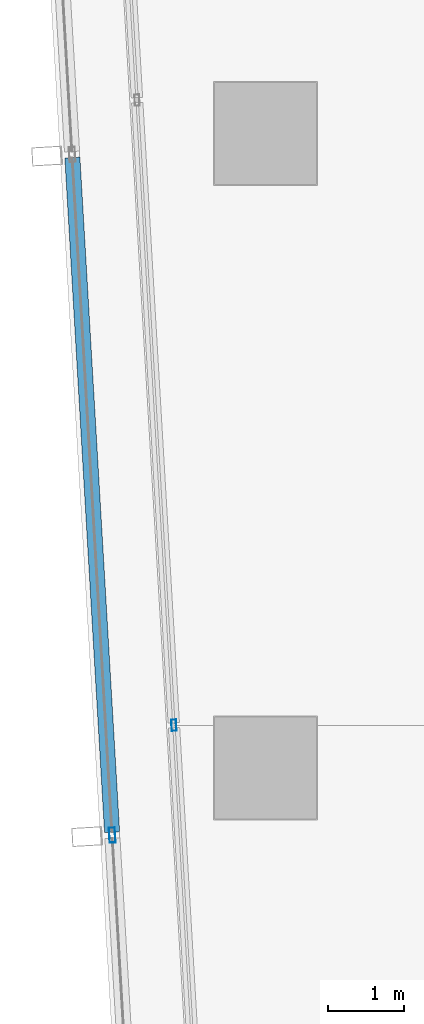
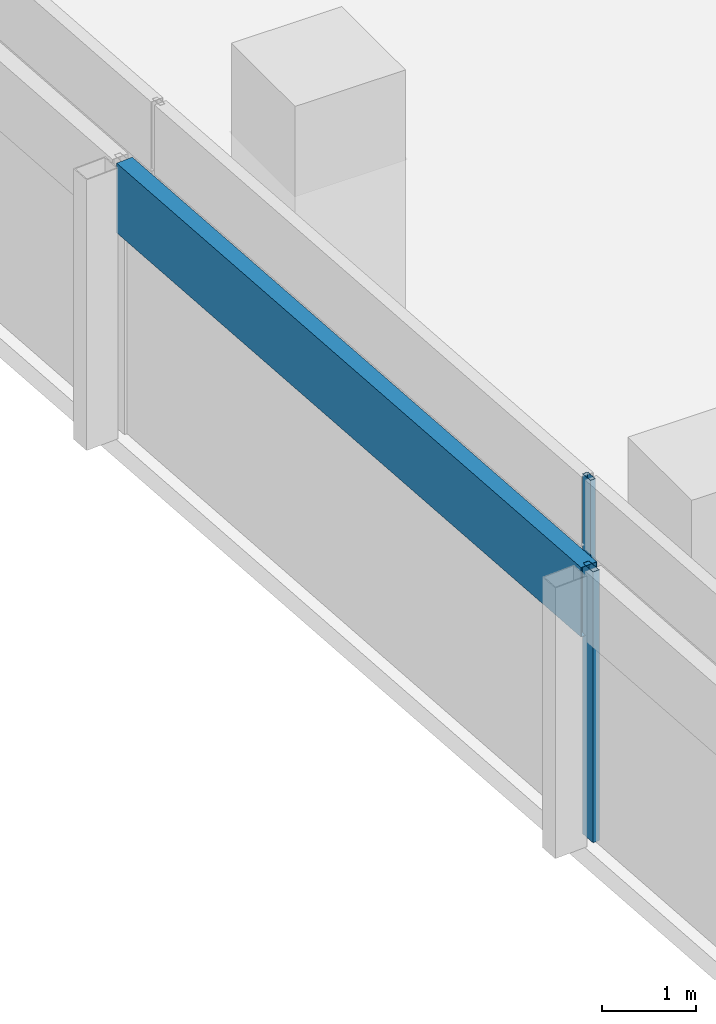
# One storey, part 5 of 40: 3 members, 2 elements without a shape of their own.
"""IFC4 building model written with IfcOpenShell, lengths in metres."""

from ifc_helpers import new_model, si_unit, direction, frame, origin, origin_2d, place, context, subcontext, project, spatial, hollow_rectangle, extrude, material, material_profile, profile_set, type_object, element, aggregate, save


model = new_model("IFC4")

# Units and contexts
model_context = context("Model", 3, precision=1e-05, world=origin(), true_north=direction((0.0, 1.0)))
body_context = subcontext(model_context, "Body", "Model", "MODEL_VIEW")
ifc_project = project(units=[si_unit("LENGTHUNIT", "METRE"), si_unit("AREAUNIT", "SQUARE_METRE"), si_unit("VOLUMEUNIT", "CUBIC_METRE"), si_unit("PLANEANGLEUNIT", "RADIAN"), si_unit("MASSUNIT", "GRAM", prefix="KILO")], contexts=[model_context])

# Site, building, storey
site_placement = place(None, origin())
site = spatial("IfcSite", under=ifc_project, at=site_placement, CompositionType="ELEMENT")
building_placement = place(site_placement, origin())
building = spatial("IfcBuilding", under=site, at=building_placement, Name="Rekha Terrace Tower", CompositionType="ELEMENT")
storey_placement = place(building_placement, frame((0.0, 0.0, 210.199951171875)))
storey = spatial("IfcBuildingStorey", under=building, at=storey_placement, Name="L53", CompositionType="ELEMENT", Elevation=210.199951171875)

# Curtain wall, member
ifc_material_1 = material(Name="Aluminium framing", Category="aluminium")
curtain_wall_type_1 = type_object("IfcCurtainWallType", Name="CW1 double skin inner glazing", PredefinedType="USERDEFINED", material=ifc_material_1)
curtain_wall_1_placement = place(storey_placement, origin())
curtain_wall_1 = element("IfcCurtainWall", 1, at=curtain_wall_1_placement, inside=storey, type_object=curtain_wall_type_1, Name="CW1 double skin inner glazing", ObjectType="DOUBLE SKIN INNER GLAZING", PredefinedType="USERDEFINED")
ifc_material_2 = material(Name="Aluminium mullion section", Category="aluminium")
ifc_material_profile_1 = material_profile(ifc_material_2, hollow_rectangle(XDim=0.06494140625, YDim=0.14990234375, WallThickness=0.00390625, at=origin_2d()), Name="AL RHS 65x150")
ifc_profile_set_1 = profile_set([ifc_material_profile_1], Name="Aluminium mullion section")
member_type_1 = type_object("IfcMemberType", Name="CW1 mullion RHS 65 x 150", PredefinedType="MULLION", material=ifc_profile_set_1)
member_1_placement = place(storey_placement, frame((7.18701171875, 25.76611328125, 0.0), z_axis=(0.0, 0.0, 1.0), x_axis=(0.998271839269, 0.058765082516, 0.0)))
member_1 = element("IfcMember", 2, at=member_1_placement, type_object=member_type_1, Name="CW1 mullion 3", PredefinedType="MULLION", context=body_context, shape_type="SweptSolid", body=[
    extrude(hollow_rectangle(XDim=0.06494140625, YDim=0.14990234375, WallThickness=0.00390625, at=origin_2d()), origin(), (0.0, 0.0, 1.0), 3.5),
])
aggregate(curtain_wall_1, [member_1])

# Curtain wall, members
curtain_wall_type_2 = type_object("IfcCurtainWallType", Name="CW2 double skin outer glazing", PredefinedType="USERDEFINED", material=ifc_material_1)
curtain_wall_2_placement = place(storey_placement, origin())
curtain_wall_2 = element("IfcCurtainWall", 3, at=curtain_wall_2_placement, inside=storey, type_object=curtain_wall_type_2, Name="CW2 double skin outer glazing", ObjectType="DOUBLE SKIN OUTER GLAZING", PredefinedType="USERDEFINED")
ifc_material_profile_2 = material_profile(ifc_material_2, hollow_rectangle(XDim=0.080078125, YDim=0.199951171875, WallThickness=0.00390625, at=origin_2d()), Name="AL RHS 80x200")
ifc_profile_set_2 = profile_set([ifc_material_profile_2], Name="Aluminium mullion section")
member_type_2 = type_object("IfcMemberType", Name="CW2 mullion RHS 80 x 200", PredefinedType="MULLION", material=ifc_profile_set_2)
member_2_placement = place(storey_placement, frame((6.370849609375, 24.31201171875, 0.0), z_axis=(0.0, 0.0, 1.0), x_axis=(0.99827183927, 0.058765082499, 0.0)))
member_2 = element("IfcMember", 4, at=member_2_placement, type_object=member_type_2, Name="CW2 mullion 3", PredefinedType="MULLION", context=body_context, shape_type="SweptSolid", body=[
    extrude(hollow_rectangle(XDim=0.080078125, YDim=0.199951171875, WallThickness=0.00390625, at=origin_2d()), origin(), (0.0, 0.0, 1.0), 3.5),
])
ifc_material_3 = material(Name="Insulated aluminium spandrel box", Category="aluminium")
ifc_material_profile_3 = material_profile(ifc_material_3, hollow_rectangle(XDim=0.199951171875, YDim=0.89990234375, WallThickness=0.0029296875, at=origin_2d()), Name="AL SPANDREL BOX 200x900")
ifc_profile_set_3 = profile_set([ifc_material_profile_3], Name="Insulated aluminium spandrel box")
member_type_3 = type_object("IfcMemberType", Name="CW2 spandrel transom 200 x 900", PredefinedType="USERDEFINED", material=ifc_profile_set_3)
member_3_placement = place(storey_placement, frame((5.843017578125, 33.27978515625, 3.050048828125), z_axis=(0.058773229711, -0.998271359636, 0.0), x_axis=(0.998271359636, 0.058773229711, 0.0)))
member_3 = element("IfcMember", 5, at=member_3_placement, type_object=member_type_3, Name="CW2 spandrel transom 2", ObjectType="TRANSOM", PredefinedType="USERDEFINED", context=body_context, shape_type="SweptSolid", body=[
    extrude(hollow_rectangle(XDim=0.199951171875, YDim=0.89990234375, WallThickness=0.0029296875, at=origin_2d()), origin(), (0.0, 0.0, 1.0), 8.943359375),
])
aggregate(curtain_wall_2, [member_2, member_3])

save(model, "model.ifc")
